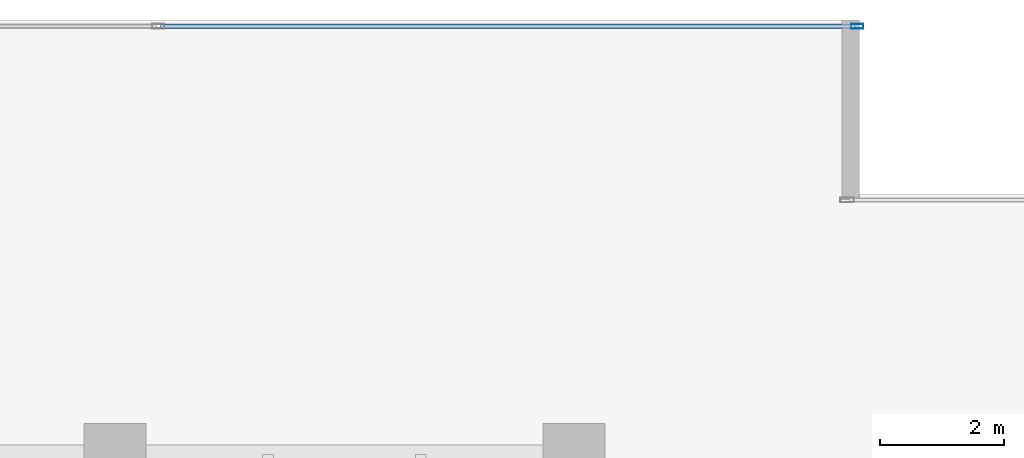
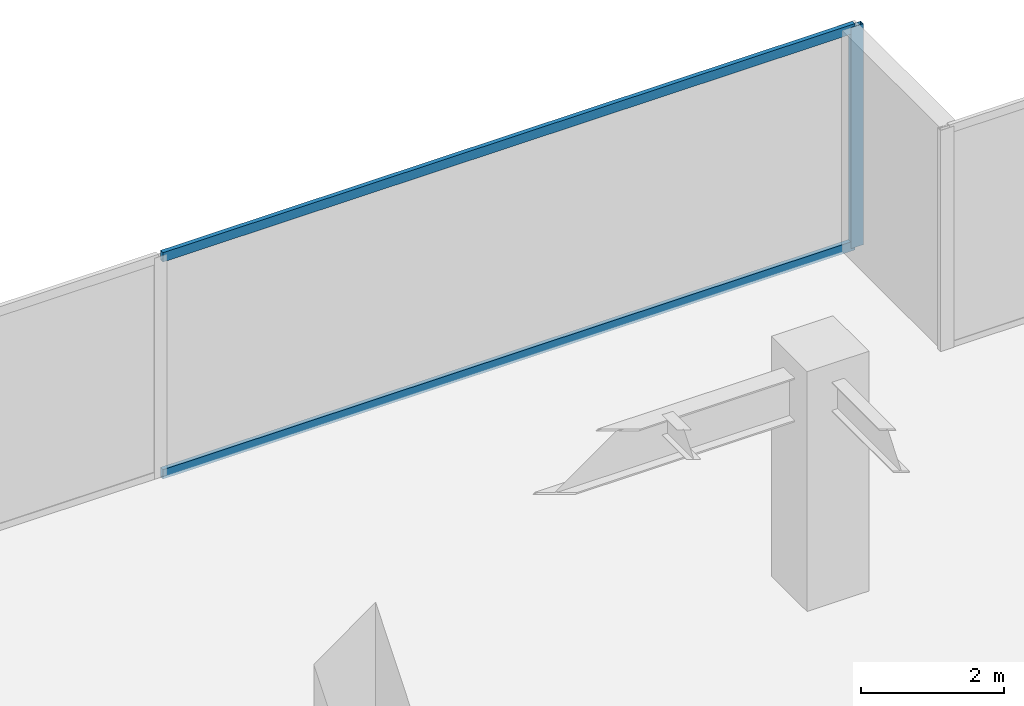
# One storey, part 27 of 35: 3 members, 1 element without a shape of its own.
"""IFC4 building model written with IfcOpenShell, lengths in metres."""

from ifc_helpers import new_model, si_unit, direction, frame, origin, origin_2d, place, context, subcontext, project, spatial, hollow_rectangle, extrude, source, transform, mapped, material, layer, layer_set, material_profile, profile_set, type_object, type_shapes, element, aggregate, save


model = new_model("IFC4")

# Units and contexts
model_context = context("Model", 3, precision=1e-05, world=origin(), true_north=direction((0.0, 1.0)))
body_context = subcontext(model_context, "Body", "Model", "MODEL_VIEW")
ifc_project = project(units=[si_unit("LENGTHUNIT", "METRE"), si_unit("AREAUNIT", "SQUARE_METRE"), si_unit("VOLUMEUNIT", "CUBIC_METRE"), si_unit("PLANEANGLEUNIT", "RADIAN"), si_unit("MASSUNIT", "GRAM", prefix="KILO")], contexts=[model_context])

# Site, building, storey
site_placement = place(None, origin())
site = spatial("IfcSite", under=ifc_project, at=site_placement, CompositionType="ELEMENT")
building_placement = place(site_placement, origin())
building = spatial("IfcBuilding", under=site, at=building_placement, Name="Haelvirn Gate Laboratories", CompositionType="ELEMENT")
storey_placement = place(building_placement, frame((0.0, 0.0, 86.699951171875)))
storey = spatial("IfcBuildingStorey", under=building, at=storey_placement, Name="L21", CompositionType="ELEMENT", Elevation=86.699951171875)

# Curtain wall, members
ifc_material_1 = material(Name="Anodised bronze unitised aluminium & triple low-E glass", Category="aluminium")
ifc_layer = layer(ifc_material_1, 0.18408203125, Name="CW-SYS-2")
ifc_layer_set = layer_set([ifc_layer], Name="Anodised bronze unitised aluminium & triple low-E glass")
curtain_wall_type = type_object("IfcCurtainWallType", Name="CW-SYS-2", PredefinedType="NOTDEFINED", material=ifc_layer_set)
curtain_wall_placement = place(storey_placement, origin())
curtain_wall = element("IfcCurtainWall", 1, at=curtain_wall_placement, inside=storey, type_object=curtain_wall_type, Name="L21 Unitised Curtain Wall CW-L21-P0-E10-1", PredefinedType="NOTDEFINED")
ifc_material_2 = material(Name="Extruded aluminium 6063-T6 (anodised bronze)", Category="aluminium")
ifc_material_profile_1 = material_profile(ifc_material_2, hollow_rectangle(XDim=0.074951171875, YDim=0.199951171875, WallThickness=0.0048828125, at=origin_2d()), Name="CWM-200x75x5")
ifc_profile_set_1 = profile_set([ifc_material_profile_1], Name="Extruded aluminium 6063-T6 (anodised bronze)")
member_type_1 = type_object("IfcMemberType", Name="CWM-T200", PredefinedType="MULLION", material=ifc_profile_set_1)
shared_shape_1 = source(origin(), body_context, "Body", "SweptSolid", [
    extrude(hollow_rectangle(XDim=0.074951171875, YDim=0.199951171875, WallThickness=0.0048828125, at=origin_2d()), origin(), (0.0, 0.0, 1.0), 3.780029296875),
])
type_shapes(member_type_1, [shared_shape_1])
member_1_placement = place(storey_placement, frame((71.96240234375, 48.5, 0.0), z_axis=(0.0, 0.0, 1.0), x_axis=(0.0, 1.0, 0.0)))
member_1 = element("IfcMember", 2, at=member_1_placement, type_object=member_type_1, Name="CW2 mullion 3", PredefinedType="MULLION", context=body_context, shape_type="MappedRepresentation", body=[
    mapped(shared_shape_1, transform((0.0, 0.0, 0.0), scale=1.0)),
])
ifc_material_profile_2 = material_profile(ifc_material_2, hollow_rectangle(XDim=0.070068359375, YDim=0.159912109375, WallThickness=0.0048828125, at=origin_2d()), Name="CWT-160x70x5")
ifc_profile_set_2 = profile_set([ifc_material_profile_2], Name="Extruded aluminium 6063-T6 (anodised bronze)")
member_type_2 = type_object("IfcMemberType", Name="CWT-T160", PredefinedType="USERDEFINED", material=ifc_profile_set_2)
shared_shape_2 = source(origin(), body_context, "Body", "SweptSolid", [
    extrude(hollow_rectangle(XDim=0.070068359375, YDim=0.159912109375, WallThickness=0.0048828125, at=origin_2d()), origin(), (0.0, 0.0, 1.0), 11.1875),
])
type_shapes(member_type_2, [shared_shape_2])
member_2_placement = place(storey_placement, frame((60.737548828125, 48.5, 0.03515625), z_axis=(1.0, 0.0, 0.0), x_axis=(0.0, 1.0, 0.0)))
member_2 = element("IfcMember", 3, at=member_2_placement, type_object=member_type_2, Name="CW2 transom 2.1", ObjectType="TRANSOM", PredefinedType="USERDEFINED", context=body_context, shape_type="MappedRepresentation", body=[
    mapped(shared_shape_2, transform((0.0, 0.0, 0.0), scale=1.0)),
])
member_3_placement = place(storey_placement, frame((60.737548828125, 48.5, 3.7451171875), z_axis=(1.0, 0.0, 0.0), x_axis=(0.0, 1.0, 0.0)))
member_3 = element("IfcMember", 4, at=member_3_placement, type_object=member_type_2, Name="CW2 transom 2.2", ObjectType="TRANSOM", PredefinedType="USERDEFINED", context=body_context, shape_type="MappedRepresentation", body=[
    mapped(shared_shape_2, transform((0.0, 0.0, 0.0), scale=1.0)),
])
aggregate(curtain_wall, [member_1, member_2, member_3])

save(model, "model.ifc")
